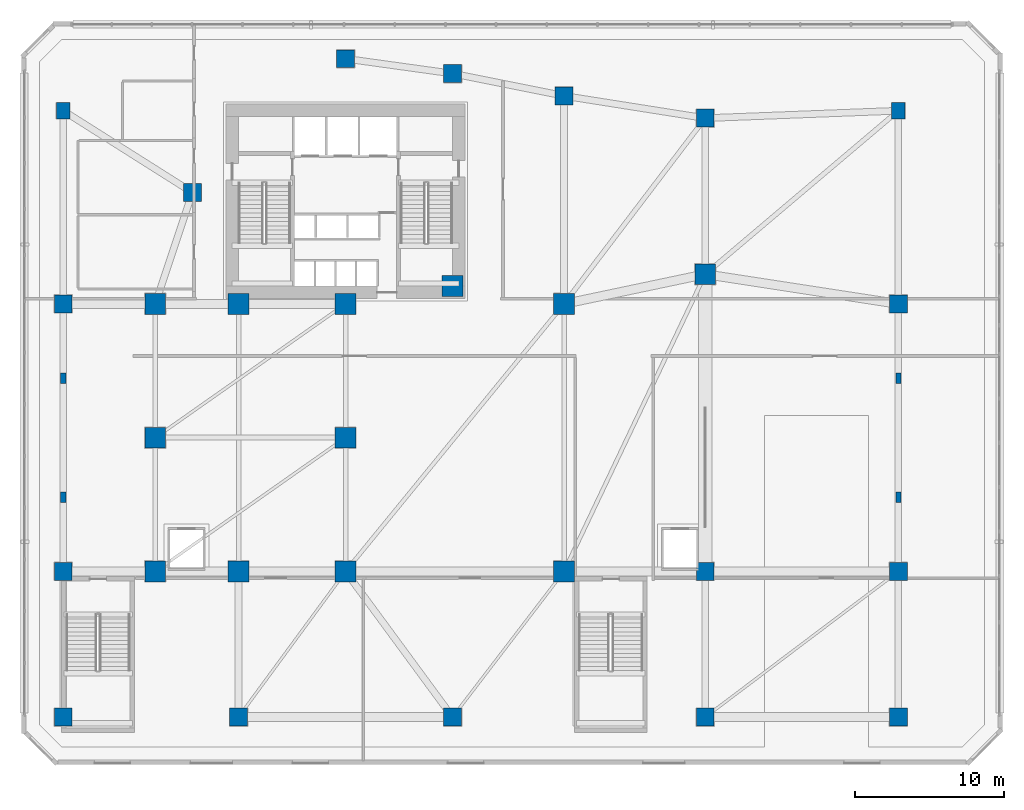
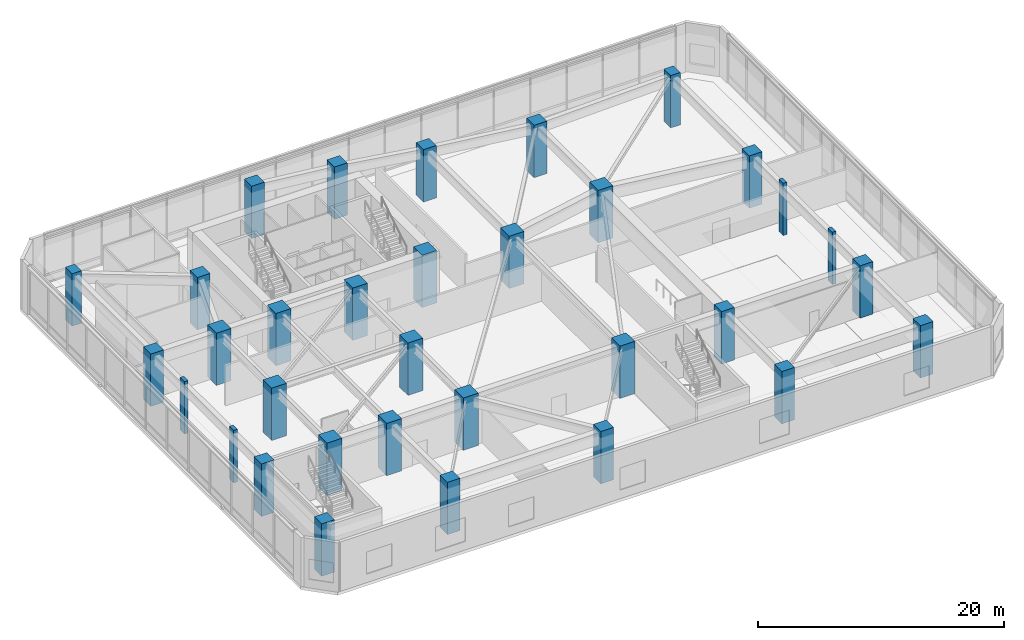
# One storey, part 1 of 18: 33 columns.
"""IFC4 building model written with IfcOpenShell, lengths in metres."""

from ifc_helpers import new_model, si_unit, direction, frame, origin, origin_2d, place, context, subcontext, project, spatial, rectangle, extrude, source, transform, mapped, material, material_profile, profile_set, type_object, element, save


model = new_model("IFC4")

# Units and contexts
model_context = context("Model", 3, precision=1e-05, world=origin(), true_north=direction((0.0, 1.0)))
body_context = subcontext(model_context, "Body", "Model", "MODEL_VIEW")
ifc_project = project(units=[si_unit("LENGTHUNIT", "METRE"), si_unit("AREAUNIT", "SQUARE_METRE"), si_unit("VOLUMEUNIT", "CUBIC_METRE"), si_unit("PLANEANGLEUNIT", "RADIAN"), si_unit("MASSUNIT", "GRAM", prefix="KILO")], contexts=[model_context])

# Site, building, storey
site_placement = place(None, origin())
site = spatial("IfcSite", under=ifc_project, at=site_placement, CompositionType="ELEMENT")
building_placement = place(site_placement, origin())
building = spatial("IfcBuilding", under=site, at=building_placement, Name="Calvemar Wedge Station Tower", CompositionType="ELEMENT")
storey_placement = place(building_placement, frame((0.0, 0.0, 11.199951171875)))
storey = spatial("IfcBuildingStorey", under=building, at=storey_placement, Name="L03", CompositionType="ELEMENT", Elevation=11.199951171875)

# Columns
ifc_material_1 = material(Name="Concrete C70", Category="concrete")
ifc_material_profile_1 = material_profile(ifc_material_1, rectangle(XDim=1.199951171875, YDim=1.199951171875, at=origin_2d()), Name="RC1200x1200")
ifc_profile_set_1 = profile_set([ifc_material_profile_1], Name="Concrete C70")
column_type_1 = type_object("IfcColumnType", Name="COL-C2-1200", PredefinedType="COLUMN", material=ifc_profile_set_1)
shared_shape_1 = source(origin(), body_context, "Body", "SweptSolid", [
    extrude(rectangle(XDim=1.199951171875, YDim=1.199951171875, at=origin_2d()), origin(), (0.0, 0.0, 1.0), 5.199951171875),
])
for number, where, z_axis, x_axis, name in (
    (1, (4.800048828125, 5.199951171875, 0.0), (0.0, 0.0, 1.0), (1.0, 0.0, 0.0), "Storey L03 Column P-S1"),
    (2, (16.60009765625, 5.199951171875, 0.0), (0.0, 0.0, 1.0), (1.0, 0.0, 0.0), "Storey L03 Column P-S2"),
    (3, (31.0, 5.199951171875, 0.0), (0.0, 0.0, 1.0), (1.0, 0.0, 0.0), "Storey L03 Column P-S3"),
    (4, (48.0, 5.199951171875, 0.0), (0.0, 0.0, 1.0), (1.0, 0.0, 0.0), "Storey L03 Column P-S4"),
    (5, (61.0, 5.199951171875, 0.0), (0.0, 0.0, 1.0), (1.0, 0.0, 0.0), "Storey L03 Column P-S5"),
    (6, (4.800048828125, 15.0, 0.0), (0.0, 0.0, 1.0), (1.0, 0.0, 0.0), "Storey L03 Column P-CS0"),
    (7, (48.0, 15.0, 0.0), (0.0, 0.0, 1.0), (1.0, 0.0, 0.0), "Storey L03 Column P-CS5"),
    (8, (61.0, 15.0, 0.0), (0.0, 0.0, 1.0), (1.0, 0.0, 0.0), "Storey L03 Column P-CS6"),
    (9, (4.800048828125, 33.0, 0.0), (0.0, 0.0, 1.0), (1.0, 0.0, 0.0), "Storey L03 Column P-CN0"),
    (10, (61.0, 33.0, 0.0), (0.0, 0.0, 1.0), (1.0, 0.0, 0.0), "Storey L03 Column P-CN7"),
    (11, (13.5, 40.5, 0.0), (0.0, 0.0, 1.0), (1.0, 0.0, 0.0), "Storey L03 Column P-N1"),
    (12, (23.800048828125, 49.5, 0.0), (0.0, 0.0, 1.0), (1.0, 0.0, 0.0), "Storey L03 Column P-N2"),
    (13, (31.0, 48.5, 0.0), (0.0, 0.0, 1.0), (1.0, 0.0, 0.0), "Storey L03 Column P-N3"),
    (14, (38.5, 47.0, 0.0), (0.0, 0.0, 1.0), (1.0, 0.0, 0.0), "Storey L03 Column P-N4"),
    (15, (48.0, 45.5, 0.0), (0.0, 0.0, 1.0), (1.0, 0.0, 0.0), "Storey L03 Column P-N5"),
):
    element("IfcColumn", number, at=place(storey_placement, frame(where, z_axis=z_axis, x_axis=x_axis)), inside=storey, type_object=column_type_1, Name=name, PredefinedType="COLUMN", context=body_context, shape_type="MappedRepresentation", body=[
        mapped(shared_shape_1, transform((0.0, 0.0, 0.0), scale=1.0)),
    ])
ifc_material_2 = material(Name="Concrete C80", Category="concrete")
ifc_material_profile_2 = material_profile(ifc_material_2, rectangle(XDim=1.39990234375, YDim=1.39990234375, at=origin_2d()), Name="RC1400x1400")
ifc_profile_set_2 = profile_set([ifc_material_profile_2], Name="Concrete C80")
column_type_2 = type_object("IfcColumnType", Name="COL-C1-1400", PredefinedType="COLUMN", material=ifc_profile_set_2)
shared_shape_2 = source(origin(), body_context, "Body", "SweptSolid", [
    extrude(rectangle(XDim=1.39990234375, YDim=1.39990234375, at=origin_2d()), origin(), (0.0, 0.0, 1.0), 5.199951171875),
])
for number, where, z_axis, x_axis, name in (
    (16, (11.0, 15.0, 0.0), (0.0, 0.0, 1.0), (1.0, 0.0, 0.0), "Storey L03 Column P-CS1"),
    (17, (16.60009765625, 15.0, 0.0), (0.0, 0.0, 1.0), (1.0, 0.0, 0.0), "Storey L03 Column P-CS2"),
    (18, (23.800048828125, 15.0, 0.0), (0.0, 0.0, 1.0), (1.0, 0.0, 0.0), "Storey L03 Column P-CS3"),
    (19, (38.5, 15.0, 0.0), (0.0, 0.0, 1.0), (1.0, 0.0, 0.0), "Storey L03 Column P-CS4"),
    (20, (11.0, 24.0, 0.0), (0.0, 0.0, 1.0), (1.0, 0.0, 0.0), "Storey L03 Column P-CM1"),
    (21, (23.800048828125, 24.0, 0.0), (0.0, 0.0, 1.0), (1.0, 0.0, 0.0), "Storey L03 Column P-CM2"),
    (22, (11.0, 33.0, 0.0), (0.0, 0.0, 1.0), (1.0, 0.0, 0.0), "Storey L03 Column P-CN1"),
    (23, (16.60009765625, 33.0, 0.0), (0.0, 0.0, 1.0), (1.0, 0.0, 0.0), "Storey L03 Column P-CN2"),
    (24, (23.800048828125, 33.0, 0.0), (0.0, 0.0, 1.0), (1.0, 0.0, 0.0), "Storey L03 Column P-CN3"),
    (25, (31.0, 34.199951171875, 0.0), (0.0, 0.0, 1.0), (1.0, 0.0, 0.0), "Storey L03 Column P-CN4"),
    (26, (38.5, 33.0, 0.0), (0.0, 0.0, 1.0), (1.0, 0.0, 0.0), "Storey L03 Column P-CN5"),
    (27, (48.0, 35.0, 0.0), (0.0, 0.0, 1.0), (1.0, 0.0, 0.0), "Storey L03 Column P-CN6"),
):
    element("IfcColumn", number, at=place(storey_placement, frame(where, z_axis=z_axis, x_axis=x_axis)), inside=storey, type_object=column_type_2, Name=name, PredefinedType="COLUMN", context=body_context, shape_type="MappedRepresentation", body=[
        mapped(shared_shape_2, transform((0.0, 0.0, 0.0), scale=1.0)),
    ])
ifc_material_profile_3 = material_profile(ifc_material_1, rectangle(XDim=0.89990234375, YDim=1.10009765625, at=origin_2d()), Name="RC1100x900")
ifc_profile_set_3 = profile_set([ifc_material_profile_3], Name="Concrete C70")
column_type_3 = type_object("IfcColumnType", Name="COL-C3-1100x900", PredefinedType="COLUMN", material=ifc_profile_set_3)
shared_shape_3 = source(origin(), body_context, "Body", "SweptSolid", [
    extrude(rectangle(XDim=0.89990234375, YDim=1.10009765625, at=origin_2d()), origin(), (0.0, 0.0, 1.0), 5.199951171875),
])
for number, where, z_axis, x_axis, name in (
    (28, (4.800048828125, 46.0, 0.0), (0.0, 0.0, 1.0), (1.0, 0.0, 0.0), "Storey L03 Column P-N0"),
    (29, (61.0, 46.0, 0.0), (0.0, 0.0, 1.0), (1.0, 0.0, 0.0), "Storey L03 Column P-N6"),
):
    element("IfcColumn", number, at=place(storey_placement, frame(where, z_axis=z_axis, x_axis=x_axis)), inside=storey, type_object=column_type_3, Name=name, PredefinedType="COLUMN", context=body_context, shape_type="MappedRepresentation", body=[
        mapped(shared_shape_3, transform((0.0, 0.0, 0.0), scale=1.0)),
    ])
ifc_material_3 = material(Name="Concrete C60", Category="concrete")
ifc_material_profile_4 = material_profile(ifc_material_3, rectangle(XDim=0.35009765625, YDim=0.699951171875, at=origin_2d()), Name="RC350x700")
ifc_profile_set_4 = profile_set([ifc_material_profile_4], Name="Concrete C60")
column_type_4 = type_object("IfcColumnType", Name="PIL-P1-700", PredefinedType="PILASTER", material=ifc_profile_set_4)
shared_shape_4 = source(origin(), body_context, "Body", "SweptSolid", [
    extrude(rectangle(XDim=0.35009765625, YDim=0.699951171875, at=origin_2d()), origin(), (0.0, 0.0, 1.0), 5.199951171875),
])
for number, where, z_axis, x_axis, name in (
    (30, (4.800048828125, 20.0, 0.0), (0.0, 0.0, 1.0), (1.0, 0.0, 0.0), "Storey L03 Concourse Pilaster 1"),
    (31, (4.800048828125, 28.0, 0.0), (0.0, 0.0, 1.0), (1.0, 0.0, 0.0), "Storey L03 Concourse Pilaster 2"),
    (32, (61.0, 20.0, 0.0), (0.0, 0.0, 1.0), (1.0, 0.0, 0.0), "Storey L03 Concourse Pilaster 3"),
    (33, (61.0, 28.0, 0.0), (0.0, 0.0, 1.0), (1.0, 0.0, 0.0), "Storey L03 Concourse Pilaster 4"),
):
    element("IfcColumn", number, at=place(storey_placement, frame(where, z_axis=z_axis, x_axis=x_axis)), inside=storey, type_object=column_type_4, Name=name, PredefinedType="PILASTER", context=body_context, shape_type="MappedRepresentation", body=[
        mapped(shared_shape_4, transform((0.0, 0.0, 0.0), scale=1.0)),
    ])

save(model, "model.ifc")
